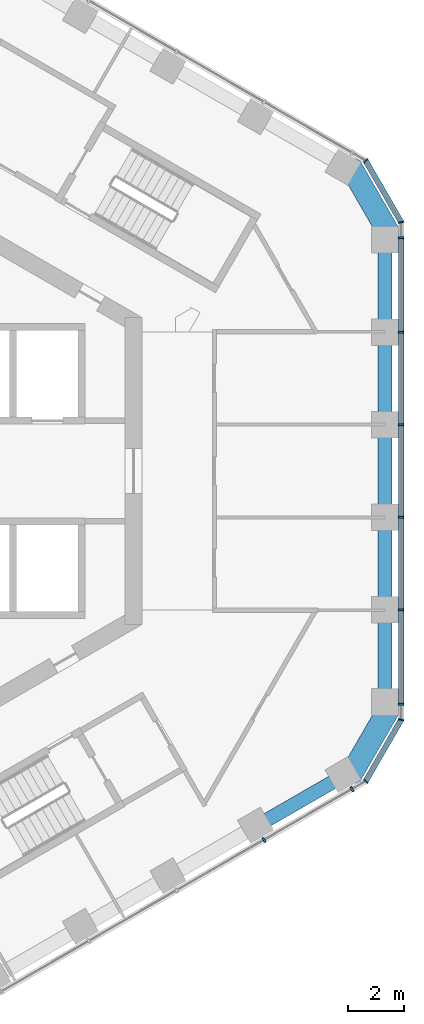
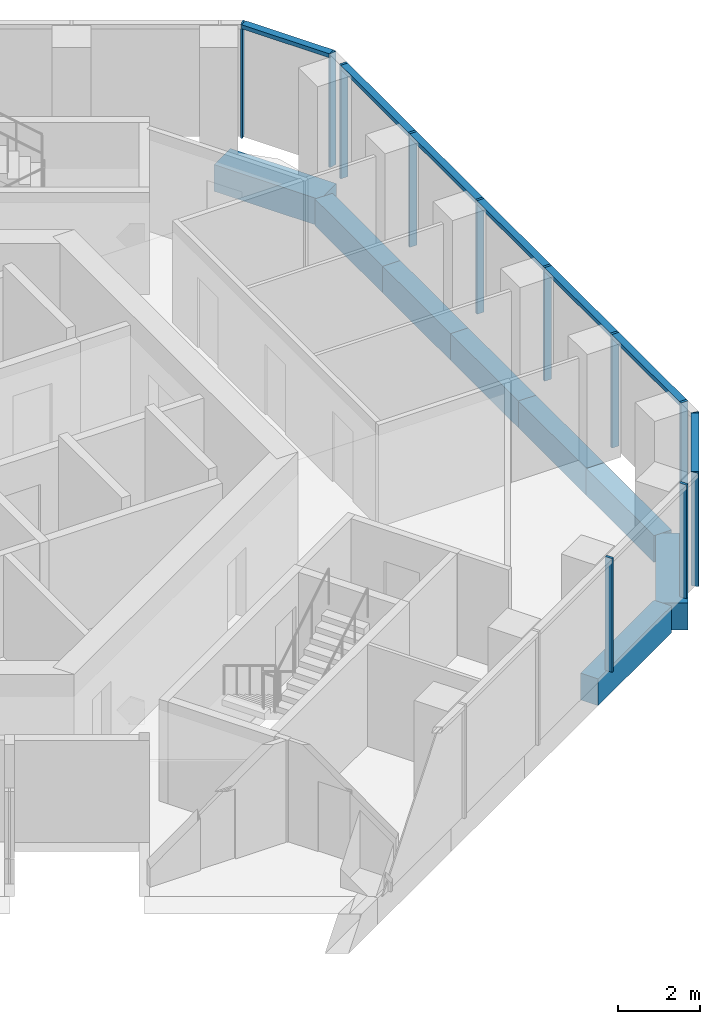
# One storey, part 5 of 18: 15 members, 8 beams, 4 elements without a shape of their own.
"""IFC4 building model written with IfcOpenShell, lengths in metres."""

from ifc_helpers import new_model, si_unit, direction, frame, origin, origin_2d, place, context, subcontext, project, spatial, rectangle, extrude, material, layer, layer_set, material_profile, profile_set, type_object, element, aggregate, save


model = new_model("IFC4")

# Units and contexts
model_context = context("Model", 3, precision=1e-05, world=origin(), true_north=direction((0.0, 1.0)))
body_context = subcontext(model_context, "Body", "Model", "MODEL_VIEW")
ifc_project = project(units=[si_unit("LENGTHUNIT", "METRE"), si_unit("AREAUNIT", "SQUARE_METRE"), si_unit("VOLUMEUNIT", "CUBIC_METRE"), si_unit("PLANEANGLEUNIT", "RADIAN"), si_unit("MASSUNIT", "GRAM", prefix="KILO")], contexts=[model_context])

# Site, building, storey
site_placement = place(None, origin())
site = spatial("IfcSite", under=ifc_project, at=site_placement, CompositionType="ELEMENT")
building_placement = place(site_placement, origin())
building = spatial("IfcBuilding", under=site, at=building_placement, Name="Ayvan Gate Tower", CompositionType="ELEMENT")
storey_placement = place(building_placement, frame((0.0, 0.0, 176.5)))
storey = spatial("IfcBuildingStorey", under=building, at=storey_placement, Name="L47", CompositionType="ELEMENT", Elevation=176.5)

# Beams
ifc_material_1 = material(Name="Concrete C40/50", Category="concrete")
ifc_material_profile_1 = material_profile(ifc_material_1, rectangle(XDim=0.800048828125, YDim=0.800048828125, at=origin_2d()), Name="RC 800x800")
ifc_profile_set_1 = profile_set([ifc_material_profile_1], Name="Concrete C40/50")
beam_type_1 = type_object("IfcBeamType", Name="Corner spandrel beam RC 800x800 C40/50", PredefinedType="BEAM", material=ifc_profile_set_1)
for number, where, z_axis, x_axis, name in (
    (1, (18.376953125, 8.413330078125, -0.75), (-0.499990139034, 0.866031096941, 0.0), (-0.866031096941, -0.499990139034, 0.0), "SB-L47-6"),
    (2, (16.876953125, -11.011474609375, -0.75), (0.499990139034, 0.866031096941, 0.0), (-0.866031096941, 0.499990139034, 0.0), "SB-L47-36"),
):
    element("IfcBeam", number, at=place(storey_placement, frame(where, z_axis=z_axis, x_axis=x_axis)), inside=storey, type_object=beam_type_1, Name=name, PredefinedType="BEAM", context=body_context, shape_type="SweptSolid", body=[
        extrude(rectangle(XDim=0.800048828125, YDim=0.800048828125, at=origin_2d()), origin(), (0.0, 0.0, 1.0), 3.0),
    ])
ifc_material_profile_2 = material_profile(ifc_material_1, rectangle(XDim=0.5, YDim=0.800048828125, at=origin_2d()), Name="RC 500x800")
ifc_profile_set_2 = profile_set([ifc_material_profile_2], Name="Concrete C40/50")
beam_type_2 = type_object("IfcBeamType", Name="Spandrel beam RC 500x800 C40/50", PredefinedType="BEAM", material=ifc_profile_set_2)
beam_1_placement = place(storey_placement, frame((18.1865234375, -8.303466796875, -0.75), z_axis=(0.0, 1.0, 0.0), x_axis=(-1.0, 0.0, 0.0)))
element("IfcBeam", 3, at=beam_1_placement, inside=storey, type_object=beam_type_2, Name="SB-L47-1", PredefinedType="BEAM", context=body_context, shape_type="SweptSolid", body=[
    extrude(rectangle(XDim=0.5, YDim=0.800048828125, at=origin_2d()), origin(), (0.0, 0.0, 1.0), 3.321533203125),
])
for number, where, z_axis, x_axis, name in (
    (4, (18.1865234375, -4.98193359375, -0.75), (0.0, 1.0, 0.0), (-1.0, 0.0, 0.0), "SB-L47-2"),
    (5, (18.1865234375, -1.66064453125, -0.75), (0.0, 1.0, 0.0), (-1.0, 0.0, 0.0), "SB-L47-3"),
    (6, (18.1865234375, 1.66064453125, -0.75), (0.0, 1.0, 0.0), (-1.0, 0.0, 0.0), "SB-L47-4"),
):
    element("IfcBeam", number, at=place(storey_placement, frame(where, z_axis=z_axis, x_axis=x_axis)), inside=storey, type_object=beam_type_2, Name=name, PredefinedType="BEAM", context=body_context, shape_type="SweptSolid", body=[
        extrude(rectangle(XDim=0.5, YDim=0.800048828125, at=origin_2d()), origin(), (0.0, 0.0, 1.0), 3.3212890625),
    ])
beam_2_placement = place(storey_placement, frame((18.1865234375, 4.98193359375, -0.75), z_axis=(0.0, 1.0, 0.0), x_axis=(-1.0, 0.0, 0.0)))
element("IfcBeam", 7, at=beam_2_placement, inside=storey, type_object=beam_type_2, Name="SB-L47-5", PredefinedType="BEAM", context=body_context, shape_type="SweptSolid", body=[
    extrude(rectangle(XDim=0.5, YDim=0.800048828125, at=origin_2d()), origin(), (0.0, 0.0, 1.0), 3.321533203125),
])
beam_3_placement = place(storey_placement, frame((13.56884765625, -12.701416015625, -0.75), z_axis=(0.866018442252, 0.500012057535, 0.0), x_axis=(-0.500012057535, 0.866018442252, 0.0)))
element("IfcBeam", 8, at=beam_3_placement, inside=storey, type_object=beam_type_2, Name="SB-L47-35", PredefinedType="BEAM", context=body_context, shape_type="SweptSolid", body=[
    extrude(rectangle(XDim=0.5, YDim=0.800048828125, at=origin_2d()), origin(), (0.0, 0.0, 1.0), 3.60009765625),
])

# Curtain wall, members
ifc_material_2 = material(Name="Bronze anodised aluminium", Category="aluminium")
ifc_layer_1 = layer(ifc_material_2, 0.199951171875)
ifc_layer_set_1 = layer_set([ifc_layer_1], Name="Bronze anodised aluminium")
curtain_wall_type_1 = type_object("IfcCurtainWallType", Name="Stick curtain wall CW-2", PredefinedType="NOTDEFINED", material=ifc_layer_set_1)
curtain_wall_1_placement = place(storey_placement, origin())
curtain_wall_1 = element("IfcCurtainWall", 9, at=curtain_wall_1_placement, inside=storey, type_object=curtain_wall_type_1, Name="Stick curtain wall CW-2 L47", PredefinedType="NOTDEFINED")
ifc_material_profile_3 = material_profile(ifc_material_2, rectangle(XDim=0.199951171875, YDim=0.070068359375, at=origin_2d()), Name="Stick curtain wall CW-2 mullion 200 x 70")
ifc_profile_set_3 = profile_set([ifc_material_profile_3], Name="Bronze anodised aluminium")
member_type_1 = type_object("IfcMemberType", Name="Stick curtain wall CW-2 mullion 200 x 70", PredefinedType="MULLION", material=ifc_profile_set_3)
member_1_placement = place(storey_placement, frame((13.862060546875, -13.180908203125, 0.0), z_axis=(0.0, 0.0, 1.0), x_axis=(0.5, -0.866025403784, 0.0)))
member_1 = element("IfcMember", 10, at=member_1_placement, type_object=member_type_1, Name="CW-2 mullion 5", PredefinedType="MULLION", context=body_context, shape_type="SweptSolid", body=[
    extrude(rectangle(XDim=0.199951171875, YDim=0.070068359375, at=origin_2d()), origin(), (0.0, 0.0, 1.0), 3.39990234375),
])
member_2_placement = place(storey_placement, frame((17.00927734375, -11.364013671875, 0.0), z_axis=(0.0, 0.0, 1.0), x_axis=(0.5, -0.866025403784, 0.0)))
member_2 = element("IfcMember", 11, at=member_2_placement, type_object=member_type_1, Name="CW-2 mullion 6", PredefinedType="MULLION", context=body_context, shape_type="SweptSolid", body=[
    extrude(rectangle(XDim=0.199951171875, YDim=0.070068359375, at=origin_2d()), origin(), (0.0, 0.0, 1.0), 3.39990234375),
])
aggregate(curtain_wall_1, [member_1, member_2])

curtain_wall_2_placement = place(storey_placement, origin())
curtain_wall_2 = element("IfcCurtainWall", 12, at=curtain_wall_2_placement, inside=storey, type_object=curtain_wall_type_1, Name="Stick curtain wall CW-2 L47", PredefinedType="NOTDEFINED")
member_3_placement = place(storey_placement, frame((18.761474609375, -8.328857421875, 0.0), z_axis=(0.0, 0.0, 1.0), x_axis=(1.0, 0.0, 0.0)))
member_3 = element("IfcMember", 13, at=member_3_placement, type_object=member_type_1, Name="CW-2 mullion 1", PredefinedType="MULLION", context=body_context, shape_type="SweptSolid", body=[
    extrude(rectangle(XDim=0.199951171875, YDim=0.070068359375, at=origin_2d()), origin(), (0.0, 0.0, 1.0), 3.39990234375),
])
member_4_placement = place(storey_placement, frame((18.761474609375, -4.951904296875, 0.0), z_axis=(0.0, 0.0, 1.0), x_axis=(1.0, 0.0, 0.0)))
member_4 = element("IfcMember", 14, at=member_4_placement, type_object=member_type_1, Name="CW-2 mullion 2", PredefinedType="MULLION", context=body_context, shape_type="SweptSolid", body=[
    extrude(rectangle(XDim=0.199951171875, YDim=0.070068359375, at=origin_2d()), origin(), (0.0, 0.0, 1.0), 3.39990234375),
])
member_5_placement = place(storey_placement, frame((18.761474609375, -1.65087890625, 0.0), z_axis=(0.0, 0.0, 1.0), x_axis=(1.0, 0.0, 0.0)))
member_5 = element("IfcMember", 15, at=member_5_placement, type_object=member_type_1, Name="CW-2 mullion 3", PredefinedType="MULLION", context=body_context, shape_type="SweptSolid", body=[
    extrude(rectangle(XDim=0.199951171875, YDim=0.070068359375, at=origin_2d()), origin(), (0.0, 0.0, 1.0), 3.39990234375),
])
member_6_placement = place(storey_placement, frame((18.761474609375, 1.651123046875, 0.0), z_axis=(0.0, 0.0, 1.0), x_axis=(1.0, 0.0, 0.0)))
member_6 = element("IfcMember", 16, at=member_6_placement, type_object=member_type_1, Name="CW-2 mullion 4", PredefinedType="MULLION", context=body_context, shape_type="SweptSolid", body=[
    extrude(rectangle(XDim=0.199951171875, YDim=0.070068359375, at=origin_2d()), origin(), (0.0, 0.0, 1.0), 3.39990234375),
])
member_7_placement = place(storey_placement, frame((18.761474609375, 4.9521484375, 0.0), z_axis=(0.0, 0.0, 1.0), x_axis=(1.0, 0.0, 0.0)))
member_7 = element("IfcMember", 17, at=member_7_placement, type_object=member_type_1, Name="CW-2 mullion 5", PredefinedType="MULLION", context=body_context, shape_type="SweptSolid", body=[
    extrude(rectangle(XDim=0.199951171875, YDim=0.070068359375, at=origin_2d()), origin(), (0.0, 0.0, 1.0), 3.39990234375),
])
member_8_placement = place(storey_placement, frame((18.761474609375, 8.328857421875, 0.0), z_axis=(0.0, 0.0, 1.0), x_axis=(1.0, 0.0, 0.0)))
member_8 = element("IfcMember", 18, at=member_8_placement, type_object=member_type_1, Name="CW-2 mullion 6", PredefinedType="MULLION", context=body_context, shape_type="SweptSolid", body=[
    extrude(rectangle(XDim=0.199951171875, YDim=0.070068359375, at=origin_2d()), origin(), (0.0, 0.0, 1.0), 3.39990234375),
])
ifc_material_profile_4 = material_profile(ifc_material_2, rectangle(XDim=0.199951171875, YDim=0.1201171875, at=origin_2d()), Name="Stick curtain wall CW-2 transom 200 x 120")
ifc_profile_set_4 = profile_set([ifc_material_profile_4], Name="Bronze anodised aluminium")
member_type_2 = type_object("IfcMemberType", Name="Stick curtain wall CW-2 transom 200 x 120", PredefinedType="USERDEFINED", material=ifc_profile_set_4)
member_9_placement = place(storey_placement, frame((18.761474609375, -8.328857421875, 3.340087890625), z_axis=(0.0, 1.0, 0.0), x_axis=(-1.0, 0.0, 0.0)))
member_9 = element("IfcMember", 19, at=member_9_placement, type_object=member_type_2, Name="CW-2 transom 1", ObjectType="TRANSOM", PredefinedType="USERDEFINED", context=body_context, shape_type="SweptSolid", body=[
    extrude(rectangle(XDim=0.199951171875, YDim=0.1201171875, at=origin_2d()), origin(), (0.0, 0.0, 1.0), 16.65771484375),
])
aggregate(curtain_wall_2, [member_3, member_4, member_5, member_6, member_7, member_8, member_9])

ifc_layer_2 = layer(ifc_material_2, 0.199951171875)
ifc_layer_set_2 = layer_set([ifc_layer_2], Name="Bronze anodised aluminium")
curtain_wall_type_2 = type_object("IfcCurtainWallType", Name="Stick curtain wall CW-6", PredefinedType="NOTDEFINED", material=ifc_layer_set_2)
curtain_wall_3_placement = place(storey_placement, origin())
curtain_wall_3 = element("IfcCurtainWall", 20, at=curtain_wall_3_placement, inside=storey, type_object=curtain_wall_type_2, Name="Stick curtain wall CW-6 L47", PredefinedType="NOTDEFINED")
ifc_material_profile_5 = material_profile(ifc_material_2, rectangle(XDim=0.199951171875, YDim=0.050048828125, at=origin_2d()), Name="Stick curtain wall CW-6 mullion 200 x 50")
ifc_profile_set_5 = profile_set([ifc_material_profile_5], Name="Bronze anodised aluminium")
member_type_3 = type_object("IfcMemberType", Name="Stick curtain wall CW-6 mullion 200 x 50", PredefinedType="MULLION", material=ifc_profile_set_5)
member_10_placement = place(storey_placement, frame((17.494140625, -11.083984375, 0.0), z_axis=(0.0, 0.0, 1.0), x_axis=(0.707106781187, -0.707106781187, 0.0)))
member_10 = element("IfcMember", 21, at=member_10_placement, type_object=member_type_3, Name="CW-6 mullion 2", PredefinedType="MULLION", context=body_context, shape_type="SweptSolid", body=[
    extrude(rectangle(XDim=0.199951171875, YDim=0.050048828125, at=origin_2d()), origin(), (0.0, 0.0, 1.0), 3.39990234375),
])
member_11_placement = place(storey_placement, frame((18.761474609375, -8.888916015625, 0.0), z_axis=(0.0, 0.0, 1.0), x_axis=(0.965925826289, -0.258819045103, 0.0)))
member_11 = element("IfcMember", 22, at=member_11_placement, type_object=member_type_3, Name="CW-6 mullion 3", PredefinedType="MULLION", context=body_context, shape_type="SweptSolid", body=[
    extrude(rectangle(XDim=0.199951171875, YDim=0.050048828125, at=origin_2d()), origin(), (0.0, 0.0, 1.0), 3.39990234375),
])

curtain_wall_4_placement = place(storey_placement, origin())
curtain_wall_4 = element("IfcCurtainWall", 23, at=curtain_wall_4_placement, inside=storey, type_object=curtain_wall_type_2, Name="Stick curtain wall CW-6 L47", PredefinedType="NOTDEFINED")
member_12_placement = place(storey_placement, frame((18.761474609375, 8.888916015625, 0.0), z_axis=(0.0, 0.0, 1.0), x_axis=(0.965925826289, 0.258819045103, 0.0)))
member_12 = element("IfcMember", 24, at=member_12_placement, type_object=member_type_3, Name="CW-6 mullion 2", PredefinedType="MULLION", context=body_context, shape_type="SweptSolid", body=[
    extrude(rectangle(XDim=0.199951171875, YDim=0.050048828125, at=origin_2d()), origin(), (0.0, 0.0, 1.0), 3.39990234375),
])
member_13_placement = place(storey_placement, frame((17.494140625, 11.083984375, 0.0), z_axis=(0.0, 0.0, 1.0), x_axis=(0.707106781187, 0.707106781187, 0.0)))
member_13 = element("IfcMember", 25, at=member_13_placement, type_object=member_type_3, Name="CW-6 mullion 3", PredefinedType="MULLION", context=body_context, shape_type="SweptSolid", body=[
    extrude(rectangle(XDim=0.199951171875, YDim=0.050048828125, at=origin_2d()), origin(), (0.0, 0.0, 1.0), 3.39990234375),
])

# Member
ifc_material_profile_6 = material_profile(ifc_material_2, rectangle(XDim=0.199951171875, YDim=0.1201171875, at=origin_2d()), Name="Stick curtain wall CW-6 transom 200 x 120")
ifc_profile_set_6 = profile_set([ifc_material_profile_6], Name="Bronze anodised aluminium")
member_type_4 = type_object("IfcMemberType", Name="Stick curtain wall CW-6 transom 200 x 120", PredefinedType="USERDEFINED", material=ifc_profile_set_6)
member_14_placement = place(storey_placement, frame((17.5068359375, -11.062255859375, 3.340087890625), z_axis=(0.499986149909, 0.86603339999, 0.0), x_axis=(-0.86603339999, 0.499986149909, 0.0)))
member_14 = element("IfcMember", 26, at=member_14_placement, type_object=member_type_4, Name="CW-6 transom 2", ObjectType="TRANSOM", PredefinedType="USERDEFINED", context=body_context, shape_type="SweptSolid", body=[
    extrude(rectangle(XDim=0.199951171875, YDim=0.1201171875, at=origin_2d()), origin(), (0.0, 0.0, 1.0), 2.484375),
])

aggregate(curtain_wall_3, [member_10, member_11, member_14])

member_15_placement = place(storey_placement, frame((18.7490234375, 8.91064453125, 3.340087890625), z_axis=(-0.499986149909, 0.86603339999, 0.0), x_axis=(-0.86603339999, -0.499986149909, 0.0)))
member_15 = element("IfcMember", 27, at=member_15_placement, type_object=member_type_4, Name="CW-6 transom 2", ObjectType="TRANSOM", PredefinedType="USERDEFINED", context=body_context, shape_type="SweptSolid", body=[
    extrude(rectangle(XDim=0.199951171875, YDim=0.1201171875, at=origin_2d()), origin(), (0.0, 0.0, 1.0), 2.484375),
])

aggregate(curtain_wall_4, [member_12, member_13, member_15])

save(model, "model.ifc")
